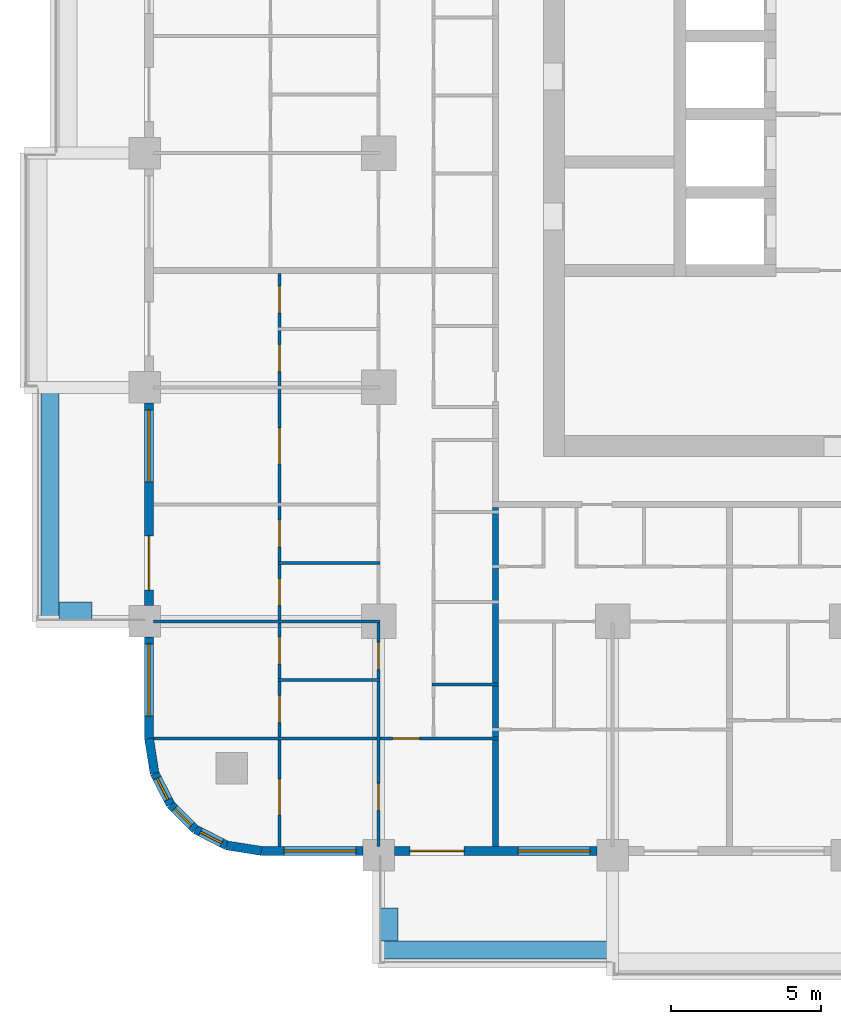
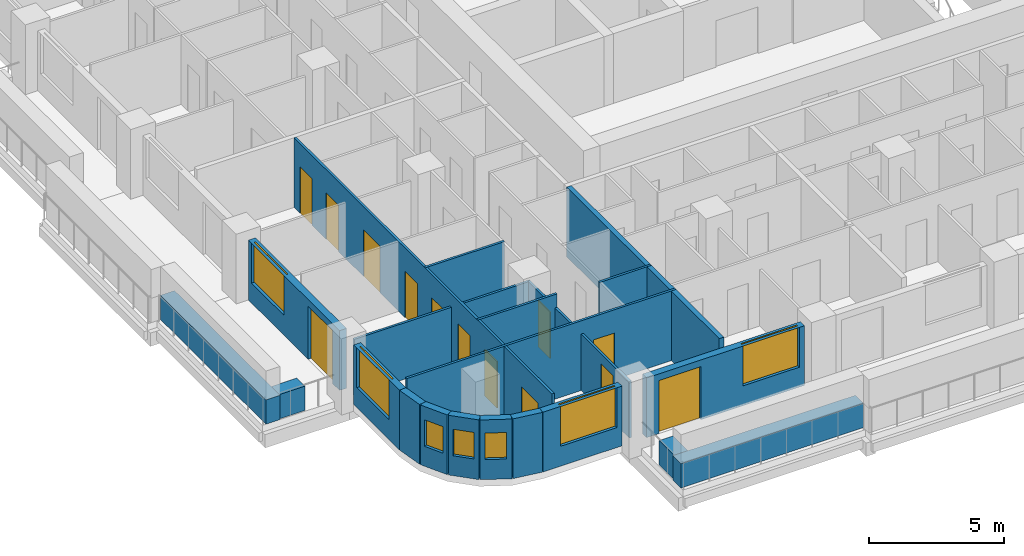
# One storey, part 2 of 17: 21 walls, 13 doors, 7 windows, 20 openings.
"""IFC4 building model written with IfcOpenShell, lengths in metres."""

from ifc_helpers import new_model, si_unit, direction, frame, frame_2d, origin, place, context, subcontext, project, spatial, rectangle, extrude, material, layer, layer_set, type_object, element, fill, save


model = new_model("IFC4")

# Units and contexts
model_context = context("Model", 3, precision=1e-05, world=origin(), true_north=direction((0.0, 1.0)))
body_context = subcontext(model_context, "Body", "Model", "MODEL_VIEW")
ifc_project = project(units=[si_unit("LENGTHUNIT", "METRE"), si_unit("AREAUNIT", "SQUARE_METRE"), si_unit("VOLUMEUNIT", "CUBIC_METRE"), si_unit("PLANEANGLEUNIT", "RADIAN"), si_unit("MASSUNIT", "GRAM", prefix="KILO")], contexts=[model_context])

# Site, building, storey
site_placement = place(None, origin())
site = spatial("IfcSite", under=ifc_project, at=site_placement, CompositionType="ELEMENT")
building_placement = place(site_placement, origin())
building = spatial("IfcBuilding", under=site, at=building_placement, Name="Ludao Terraces", CompositionType="ELEMENT")
storey_placement = place(building_placement, frame((0.0, 0.0, 51.199951171875)))
storey = spatial("IfcBuildingStorey", under=building, at=storey_placement, Name="L13", CompositionType="ELEMENT", Elevation=51.199951171875)

# Walls
ifc_material_1 = material(Name="Concrete C40", Category="concrete")
ifc_layer_1 = layer(ifc_material_1, 0.60009765625)
ifc_layer_set_1 = layer_set([ifc_layer_1], Name="ENV Planter trough 600")
wall_type_1 = type_object("IfcWallType", Name="ENV Planter trough 600", PredefinedType="USERDEFINED", material=ifc_layer_set_1)
wall_1_placement = place(storey_placement, frame((69.39990234375, 38.449951171875, 0.0), z_axis=(0.0, 0.0, 1.0), x_axis=(1.0, 0.0, 0.0)))
element("IfcWall", 1, at=wall_1_placement, inside=storey, type_object=wall_type_1, Name="PL-L13-S1", ObjectType="PLANTER", PredefinedType="USERDEFINED", context=body_context, shape_type="SweptSolid", body=[
    extrude(rectangle(XDim=7.800048828125, YDim=0.60009765625, at=frame_2d((3.89990234375, 0.0))), origin(), (0.0, 0.0, 1.0), 1.10009765625),
])
wall_2_placement = place(storey_placement, frame((69.75, 38.75, 0.0), z_axis=(0.0, 0.0, 1.0), x_axis=(0.0, 1.0, 0.0)))
element("IfcWall", 2, at=wall_2_placement, inside=storey, type_object=wall_type_1, Name="PL-L13-S1-SA", ObjectType="PLANTER", PredefinedType="USERDEFINED", context=body_context, shape_type="SweptSolid", body=[
    extrude(rectangle(XDim=1.10009765625, YDim=0.60009765625, at=frame_2d((0.550048828125, 0.0))), origin(), (0.0, 0.0, 1.0), 1.10009765625),
])
wall_3_placement = place(storey_placement, frame((58.449951171875, 49.39990234375, 0.0), z_axis=(0.0, 0.0, 1.0), x_axis=(0.0, 1.0, 0.0)))
element("IfcWall", 3, at=wall_3_placement, inside=storey, type_object=wall_type_1, Name="PL-L13-W1", ObjectType="PLANTER", PredefinedType="USERDEFINED", context=body_context, shape_type="SweptSolid", body=[
    extrude(rectangle(XDim=7.800048828125, YDim=0.60009765625, at=frame_2d((3.89990234375, 0.0))), origin(), (0.0, 0.0, 1.0), 1.10009765625),
])
wall_4_placement = place(storey_placement, frame((58.75, 49.75, 0.0), z_axis=(0.0, 0.0, 1.0), x_axis=(1.0, 0.0, 0.0)))
element("IfcWall", 4, at=wall_4_placement, inside=storey, type_object=wall_type_1, Name="PL-L13-W1-SA", ObjectType="PLANTER", PredefinedType="USERDEFINED", context=body_context, shape_type="SweptSolid", body=[
    extrude(rectangle(XDim=1.10009765625, YDim=0.60009765625, at=frame_2d((0.550048828125, 0.0))), origin(), (0.0, 0.0, 1.0), 1.10009765625),
])

# Wall, opening, window
ifc_material_2 = material(Name="Granite cladding", Category="masonry")
ifc_layer_2 = layer(ifc_material_2, 0.0400390625, Category="stone")
ifc_material_3 = material(Name="Mineral wool")
ifc_layer_3 = layer(ifc_material_3, 0.06005859375)
ifc_layer_4 = layer(ifc_material_1, 0.199951171875, Category="concrete")
ifc_layer_set_2 = layer_set([ifc_layer_2, ifc_layer_3, ifc_layer_4], Name="ENV Stone-clad wall 300")
wall_type_2 = type_object("IfcWallType", Name="ENV Stone-clad wall 300", PredefinedType="SOLIDWALL", material=ifc_layer_set_2)
wall_5_placement = place(storey_placement, frame((65.5, 41.75, 0.0), z_axis=(0.0, 0.0, 1.0), x_axis=(1.0, 0.0, 0.0)))
wall_5 = element("IfcWall", 5, at=wall_5_placement, inside=storey, type_object=wall_type_2, Name="EW-L13-S1", PredefinedType="SOLIDWALL", context=body_context, shape_type="SweptSolid", body=[
    extrude(rectangle(XDim=3.375, YDim=0.300048828125, at=frame_2d((1.6875, 0.0))), origin(), (0.0, 0.0, 1.0), 2.699951171875),
])
opening_1_placement = place(wall_5_placement, frame((0.75, 0.0, 0.89990234375)))
opening_1 = element("IfcOpeningElement", 6, at=opening_1_placement, cuts=wall_5, Name="Opening W1", PredefinedType="OPENING", context=body_context, shape_type="SweptSolid", body=[
    extrude(rectangle(XDim=2.39990234375, YDim=1.800048828125, at=frame_2d((1.199951171875, 0.89990234375))), frame((0.0, 0.16015625, 0.0), z_axis=(0.0, -1.0, 0.0), x_axis=(1.0, 0.0, 0.0)), (0.0, 0.0, 1.0), 0.320068359375),
])
ifc_material_4 = material(Name="Clear glass in aluminium frame", Category="aluminium")
ifc_layer_5 = layer(ifc_material_4, 0.06005859375)
ifc_layer_set_3 = layer_set([ifc_layer_5], Name="ENV Window W1 2400x1800")
window_type_1 = type_object("IfcWindowType", Name="ENV Window W1 2400x1800", PartitioningType="DOUBLE_PANEL_VERTICAL", PredefinedType="WINDOW", material=ifc_layer_set_3)
window_1_placement = place(opening_1_placement, origin())
window_1 = element("IfcWindow", 7, at=window_1_placement, inside=storey, type_object=window_type_1, Name="W-L13-S1-1", OverallHeight=1.800048828125, OverallWidth=2.39990234375, PartitioningType="DOUBLE_PANEL_VERTICAL", PredefinedType="WINDOW", context=body_context, shape_type="SweptSolid", body=[
    extrude(rectangle(XDim=2.39990234375, YDim=1.800048828125, at=frame_2d((1.199951171875, 0.89990234375))), frame((0.0, 0.030029296875, 0.0), z_axis=(0.0, -1.0, 0.0), x_axis=(1.0, 0.0, 0.0)), (0.0, 0.0, 1.0), 0.06005859375),
])
fill(opening_1, window_1)

# Wall, openings, door, window
wall_6_placement = place(storey_placement, frame((69.925048828125, 41.75, 0.0), z_axis=(0.0, 0.0, 1.0), x_axis=(1.0, 0.0, 0.0)))
wall_6 = element("IfcWall", 8, at=wall_6_placement, inside=storey, type_object=wall_type_2, Name="EW-L13-S2", PredefinedType="SOLIDWALL", context=body_context, shape_type="SweptSolid", body=[
    extrude(rectangle(XDim=6.75, YDim=0.300048828125, at=frame_2d((3.375, 0.0))), origin(), (0.0, 0.0, 1.0), 2.699951171875),
])
opening_2_placement = place(wall_6_placement, frame((0.52490234375, 0.0, 0.0)))
opening_2 = element("IfcOpeningElement", 9, at=opening_2_placement, cuts=wall_6, Name="Opening BD", PredefinedType="OPENING", context=body_context, shape_type="SweptSolid", body=[
    extrude(rectangle(XDim=1.800048828125, YDim=2.39990234375, at=frame_2d((0.89990234375, 1.199951171875))), frame((0.0, 0.16015625, 0.0), z_axis=(0.0, -1.0, 0.0), x_axis=(1.0, 0.0, 0.0)), (0.0, 0.0, 1.0), 0.320068359375),
])
opening_3_placement = place(wall_6_placement, frame((4.125, 0.0, 0.89990234375)))
opening_3 = element("IfcOpeningElement", 10, at=opening_3_placement, cuts=wall_6, Name="Opening W1", PredefinedType="OPENING", context=body_context, shape_type="SweptSolid", body=[
    extrude(rectangle(XDim=2.39990234375, YDim=1.800048828125, at=frame_2d((1.199951171875, 0.89990234375))), frame((0.0, 0.16015625, 0.0), z_axis=(0.0, -1.0, 0.0), x_axis=(1.0, 0.0, 0.0)), (0.0, 0.0, 1.0), 0.320068359375),
])
ifc_material_5 = material(Name="Aluminium glazed door", Category="aluminium")
ifc_layer_6 = layer(ifc_material_5, 0.06005859375)
ifc_layer_set_4 = layer_set([ifc_layer_6], Name="ENV Balcony door BD 1800x2400")
door_type_1 = type_object("IfcDoorType", Name="ENV Balcony door BD 1800x2400", OperationType="DOUBLE_DOOR_SINGLE_SWING", PredefinedType="DOOR", material=ifc_layer_set_4)
door_1_placement = place(opening_2_placement, origin())
door_1 = element("IfcDoor", 11, at=door_1_placement, inside=storey, type_object=door_type_1, Name="BD-L13-S2-1", OperationType="DOUBLE_DOOR_SINGLE_SWING", OverallHeight=2.39990234375, OverallWidth=1.800048828125, PredefinedType="DOOR", context=body_context, shape_type="SweptSolid", body=[
    extrude(rectangle(XDim=1.800048828125, YDim=2.39990234375, at=frame_2d((0.89990234375, 1.199951171875))), frame((0.0, 0.02490234375, 0.0), z_axis=(0.0, -1.0, 0.0), x_axis=(1.0, 0.0, 0.0)), (0.0, 0.0, 1.0), 0.050048828125),
])
fill(opening_2, door_1)
window_2_placement = place(opening_3_placement, origin())
window_2 = element("IfcWindow", 12, at=window_2_placement, inside=storey, type_object=window_type_1, Name="W-L13-S2-2", OverallHeight=1.800048828125, OverallWidth=2.39990234375, PartitioningType="DOUBLE_PANEL_VERTICAL", PredefinedType="WINDOW", context=body_context, shape_type="SweptSolid", body=[
    extrude(rectangle(XDim=2.39990234375, YDim=1.800048828125, at=frame_2d((1.199951171875, 0.89990234375))), frame((0.0, 0.030029296875, 0.0), z_axis=(0.0, -1.0, 0.0), x_axis=(1.0, 0.0, 0.0)), (0.0, 0.0, 1.0), 0.06005859375),
])
fill(opening_3, window_2)

# Wall, opening, window
wall_7_placement = place(storey_placement, frame((61.75, 45.5, 0.0), z_axis=(0.0, 0.0, 1.0), x_axis=(0.0, 1.0, 0.0)))
wall_7 = element("IfcWall", 13, at=wall_7_placement, inside=storey, type_object=wall_type_2, Name="EW-L13-W1", PredefinedType="SOLIDWALL", context=body_context, shape_type="SweptSolid", body=[
    extrude(rectangle(XDim=3.375, YDim=0.300048828125, at=frame_2d((1.6875, 0.0))), origin(), (0.0, 0.0, 1.0), 2.699951171875),
])
opening_4_placement = place(wall_7_placement, frame((0.75, 0.0, 0.89990234375)))
opening_4 = element("IfcOpeningElement", 14, at=opening_4_placement, cuts=wall_7, Name="Opening W1", PredefinedType="OPENING", context=body_context, shape_type="SweptSolid", body=[
    extrude(rectangle(XDim=2.39990234375, YDim=1.800048828125, at=frame_2d((1.199951171875, 0.89990234375))), frame((0.0, 0.16015625, 0.0), z_axis=(0.0, -1.0, 0.0), x_axis=(1.0, 0.0, 0.0)), (0.0, 0.0, 1.0), 0.320068359375),
])
window_3_placement = place(opening_4_placement, origin())
window_3 = element("IfcWindow", 15, at=window_3_placement, inside=storey, type_object=window_type_1, Name="W-L13-W1-1", OverallHeight=1.800048828125, OverallWidth=2.39990234375, PartitioningType="DOUBLE_PANEL_VERTICAL", PredefinedType="WINDOW", context=body_context, shape_type="SweptSolid", body=[
    extrude(rectangle(XDim=2.39990234375, YDim=1.800048828125, at=frame_2d((1.199951171875, 0.89990234375))), frame((0.0, 0.030029296875, 0.0), z_axis=(0.0, -1.0, 0.0), x_axis=(1.0, 0.0, 0.0)), (0.0, 0.0, 1.0), 0.06005859375),
])
fill(opening_4, window_3)

# Wall, openings, door, window
wall_8_placement = place(storey_placement, frame((61.75, 49.925048828125, 0.0), z_axis=(0.0, 0.0, 1.0), x_axis=(0.0, 1.0, 0.0)))
wall_8 = element("IfcWall", 16, at=wall_8_placement, inside=storey, type_object=wall_type_2, Name="EW-L13-W2", PredefinedType="SOLIDWALL", context=body_context, shape_type="SweptSolid", body=[
    extrude(rectangle(XDim=6.75, YDim=0.300048828125, at=frame_2d((3.375, 0.0))), origin(), (0.0, 0.0, 1.0), 2.699951171875),
])
opening_5_placement = place(wall_8_placement, frame((0.52490234375, 0.0, 0.0)))
opening_5 = element("IfcOpeningElement", 17, at=opening_5_placement, cuts=wall_8, Name="Opening BD", PredefinedType="OPENING", context=body_context, shape_type="SweptSolid", body=[
    extrude(rectangle(XDim=1.800048828125, YDim=2.39990234375, at=frame_2d((0.89990234375, 1.199951171875))), frame((0.0, 0.16015625, 0.0), z_axis=(0.0, -1.0, 0.0), x_axis=(1.0, 0.0, 0.0)), (0.0, 0.0, 1.0), 0.320068359375),
])
opening_6_placement = place(wall_8_placement, frame((4.125, 0.0, 0.89990234375)))
opening_6 = element("IfcOpeningElement", 18, at=opening_6_placement, cuts=wall_8, Name="Opening W1", PredefinedType="OPENING", context=body_context, shape_type="SweptSolid", body=[
    extrude(rectangle(XDim=2.39990234375, YDim=1.800048828125, at=frame_2d((1.199951171875, 0.89990234375))), frame((0.0, 0.16015625, 0.0), z_axis=(0.0, -1.0, 0.0), x_axis=(1.0, 0.0, 0.0)), (0.0, 0.0, 1.0), 0.320068359375),
])
door_2_placement = place(opening_5_placement, origin())
door_2 = element("IfcDoor", 19, at=door_2_placement, inside=storey, type_object=door_type_1, Name="BD-L13-W2-1", OperationType="DOUBLE_DOOR_SINGLE_SWING", OverallHeight=2.39990234375, OverallWidth=1.800048828125, PredefinedType="DOOR", context=body_context, shape_type="SweptSolid", body=[
    extrude(rectangle(XDim=1.800048828125, YDim=2.39990234375, at=frame_2d((0.89990234375, 1.199951171875))), frame((0.0, 0.02490234375, 0.0), z_axis=(0.0, -1.0, 0.0), x_axis=(1.0, 0.0, 0.0)), (0.0, 0.0, 1.0), 0.050048828125),
])
fill(opening_5, door_2)
window_4_placement = place(opening_6_placement, origin())
window_4 = element("IfcWindow", 20, at=window_4_placement, inside=storey, type_object=window_type_1, Name="W-L13-W2-2", OverallHeight=1.800048828125, OverallWidth=2.39990234375, PartitioningType="DOUBLE_PANEL_VERTICAL", PredefinedType="WINDOW", context=body_context, shape_type="SweptSolid", body=[
    extrude(rectangle(XDim=2.39990234375, YDim=1.800048828125, at=frame_2d((1.199951171875, 0.89990234375))), frame((0.0, 0.030029296875, 0.0), z_axis=(0.0, -1.0, 0.0), x_axis=(1.0, 0.0, 0.0)), (0.0, 0.0, 1.0), 0.06005859375),
])
fill(opening_6, window_4)

# Wall
wall_9_placement = place(storey_placement, frame((61.75, 45.5, 0.0), z_axis=(0.0, 0.0, 1.0), x_axis=(0.156496880861, -0.987678452879, 0.0)))
element("IfcWall", 21, at=wall_9_placement, inside=storey, type_object=wall_type_2, Name="EW-L13-SW1", PredefinedType="SOLIDWALL", context=body_context, shape_type="SweptSolid", body=[
    extrude(rectangle(XDim=1.173095703125, YDim=0.300048828125, at=frame_2d((0.58642578125, 0.0))), origin(), (0.0, 0.0, 1.0), 2.699951171875),
])

# Wall, opening, window
wall_10_placement = place(storey_placement, frame((61.93359375, 44.34130859375, 0.0), z_axis=(0.0, 0.0, 1.0), x_axis=(0.454025524128, -0.890988677504, 0.0)))
wall_10 = element("IfcWall", 22, at=wall_10_placement, inside=storey, type_object=wall_type_2, Name="EW-L13-SW2", PredefinedType="SOLIDWALL", context=body_context, shape_type="SweptSolid", body=[
    extrude(rectangle(XDim=1.17333984375, YDim=0.300048828125, at=frame_2d((0.586669921875, 0.0))), origin(), (0.0, 0.0, 1.0), 2.699951171875),
])
opening_7_placement = place(wall_10_placement, frame((0.1865234375, 0.0, 0.89990234375)))
opening_7 = element("IfcOpeningElement", 23, at=opening_7_placement, cuts=wall_10, Name="Opening W3", PredefinedType="OPENING", context=body_context, shape_type="SweptSolid", body=[
    extrude(rectangle(XDim=0.800048828125, YDim=1.199951171875, at=frame_2d((0.39990234375, 0.60009765625))), frame((0.0, 0.16015625, 0.0), z_axis=(0.0, -1.0, 0.0), x_axis=(1.0, 0.0, 0.0)), (0.0, 0.0, 1.0), 0.320068359375),
])
ifc_layer_7 = layer(ifc_material_4, 0.06005859375)
ifc_layer_set_5 = layer_set([ifc_layer_7], Name="ENV Window W3 800x1200")
window_type_2 = type_object("IfcWindowType", Name="ENV Window W3 800x1200", PartitioningType="SINGLE_PANEL", PredefinedType="WINDOW", material=ifc_layer_set_5)
window_5_placement = place(opening_7_placement, origin())
window_5 = element("IfcWindow", 24, at=window_5_placement, inside=storey, type_object=window_type_2, Name="W-L13-SW2", OverallHeight=1.199951171875, OverallWidth=0.800048828125, PartitioningType="SINGLE_PANEL", PredefinedType="WINDOW", context=body_context, shape_type="SweptSolid", body=[
    extrude(rectangle(XDim=0.800048828125, YDim=1.199951171875, at=frame_2d((0.39990234375, 0.60009765625))), frame((0.0, 0.030029296875, 0.0), z_axis=(0.0, -1.0, 0.0), x_axis=(1.0, 0.0, 0.0)), (0.0, 0.0, 1.0), 0.06005859375),
])
fill(opening_7, window_5)

wall_11_placement = place(storey_placement, frame((62.46630859375, 43.2958984375, 0.0), z_axis=(0.0, 0.0, 1.0), x_axis=(0.707106781187, -0.707106781187, 0.0)))
wall_11 = element("IfcWall", 25, at=wall_11_placement, inside=storey, type_object=wall_type_2, Name="EW-L13-SW3", PredefinedType="SOLIDWALL", context=body_context, shape_type="SweptSolid", body=[
    extrude(rectangle(XDim=1.173095703125, YDim=0.300048828125, at=frame_2d((0.58642578125, 0.0))), origin(), (0.0, 0.0, 1.0), 2.699951171875),
])
opening_8_placement = place(wall_11_placement, frame((0.1865234375, 0.0, 0.89990234375)))
opening_8 = element("IfcOpeningElement", 26, at=opening_8_placement, cuts=wall_11, Name="Opening W3", PredefinedType="OPENING", context=body_context, shape_type="SweptSolid", body=[
    extrude(rectangle(XDim=0.800048828125, YDim=1.199951171875, at=frame_2d((0.39990234375, 0.60009765625))), frame((0.0, 0.16015625, 0.0), z_axis=(0.0, -1.0, 0.0), x_axis=(1.0, 0.0, 0.0)), (0.0, 0.0, 1.0), 0.320068359375),
])
window_6_placement = place(opening_8_placement, origin())
window_6 = element("IfcWindow", 27, at=window_6_placement, inside=storey, type_object=window_type_2, Name="W-L13-SW3", OverallHeight=1.199951171875, OverallWidth=0.800048828125, PartitioningType="SINGLE_PANEL", PredefinedType="WINDOW", context=body_context, shape_type="SweptSolid", body=[
    extrude(rectangle(XDim=0.800048828125, YDim=1.199951171875, at=frame_2d((0.39990234375, 0.60009765625))), frame((0.0, 0.030029296875, 0.0), z_axis=(0.0, -1.0, 0.0), x_axis=(1.0, 0.0, 0.0)), (0.0, 0.0, 1.0), 0.06005859375),
])
fill(opening_8, window_6)

wall_12_placement = place(storey_placement, frame((63.2958984375, 42.46630859375, 0.0), z_axis=(0.0, 0.0, 1.0), x_axis=(0.890988677504, -0.454025524128, 0.0)))
wall_12 = element("IfcWall", 28, at=wall_12_placement, inside=storey, type_object=wall_type_2, Name="EW-L13-SW4", PredefinedType="SOLIDWALL", context=body_context, shape_type="SweptSolid", body=[
    extrude(rectangle(XDim=1.17333984375, YDim=0.300048828125, at=frame_2d((0.586669921875, 0.0))), origin(), (0.0, 0.0, 1.0), 2.699951171875),
])
opening_9_placement = place(wall_12_placement, frame((0.1865234375, 0.0, 0.89990234375)))
opening_9 = element("IfcOpeningElement", 29, at=opening_9_placement, cuts=wall_12, Name="Opening W3", PredefinedType="OPENING", context=body_context, shape_type="SweptSolid", body=[
    extrude(rectangle(XDim=0.800048828125, YDim=1.199951171875, at=frame_2d((0.39990234375, 0.60009765625))), frame((0.0, 0.16015625, 0.0), z_axis=(0.0, -1.0, 0.0), x_axis=(1.0, 0.0, 0.0)), (0.0, 0.0, 1.0), 0.320068359375),
])
window_7_placement = place(opening_9_placement, origin())
window_7 = element("IfcWindow", 30, at=window_7_placement, inside=storey, type_object=window_type_2, Name="W-L13-SW4", OverallHeight=1.199951171875, OverallWidth=0.800048828125, PartitioningType="SINGLE_PANEL", PredefinedType="WINDOW", context=body_context, shape_type="SweptSolid", body=[
    extrude(rectangle(XDim=0.800048828125, YDim=1.199951171875, at=frame_2d((0.39990234375, 0.60009765625))), frame((0.0, 0.030029296875, 0.0), z_axis=(0.0, -1.0, 0.0), x_axis=(1.0, 0.0, 0.0)), (0.0, 0.0, 1.0), 0.06005859375),
])
fill(opening_9, window_7)

# Wall
wall_13_placement = place(storey_placement, frame((64.34130859375, 41.93359375, 0.0), z_axis=(0.0, 0.0, 1.0), x_axis=(0.987678452879, -0.156496880861, 0.0)))
element("IfcWall", 31, at=wall_13_placement, inside=storey, type_object=wall_type_2, Name="EW-L13-SW5", PredefinedType="SOLIDWALL", context=body_context, shape_type="SweptSolid", body=[
    extrude(rectangle(XDim=1.173095703125, YDim=0.300048828125, at=frame_2d((0.58642578125, 0.0))), origin(), (0.0, 0.0, 1.0), 2.699951171875),
])

# Wall, opening, door
ifc_material_6 = material(Name="Gypsum plasterboard", Category="gypsum")
ifc_layer_8 = layer(ifc_material_6, 0.012451171875, Category="gypsum")
ifc_layer_9 = layer(ifc_material_3, 0.06005859375, Name="insulation")
ifc_material_7 = material(Name="Steel Q235", Category="steel")
ifc_layer_10 = layer(ifc_material_7, 0.014892578125, Name="stud")
ifc_layer_11 = layer(ifc_material_6, 0.012451171875, Category="gypsum")
ifc_layer_set_6 = layer_set([ifc_layer_8, ifc_layer_9, ifc_layer_10, ifc_layer_11], Name="INT Partition 100")
wall_type_3 = type_object("IfcWallType", Name="INT Partition 100", PredefinedType="PARTITIONING", material=ifc_layer_set_6)
wall_14_placement = place(storey_placement, frame((61.900146484375, 45.5, 0.0), z_axis=(0.0, 0.0, 1.0), x_axis=(1.0, 0.0, 0.0)))
wall_14 = element("IfcWall", 32, at=wall_14_placement, inside=storey, type_object=wall_type_3, Name="PW-L13-PW000", PredefinedType="PARTITIONING", context=body_context, shape_type="SweptSolid", body=[
    extrude(rectangle(XDim=11.5, YDim=0.10009765625, at=frame_2d((5.75, 0.0))), origin(), (0.0, 0.0, 1.0), 3.150146484375),
])
opening_10_placement = place(wall_14_placement, frame((7.965087890625, 0.0, 0.0)))
opening_10 = element("IfcOpeningElement", 33, at=opening_10_placement, cuts=wall_14, Name="Opening R04-005", PredefinedType="OPENING", context=body_context, shape_type="SweptSolid", body=[
    extrude(rectangle(XDim=0.89990234375, YDim=2.10009765625, at=frame_2d((0.449951171875, 1.050048828125))), frame((0.0, 0.06005859375, 0.0), z_axis=(0.0, -1.0, 0.0), x_axis=(1.0, 0.0, 0.0)), (0.0, 0.0, 1.0), 0.1201171875),
])
ifc_material_8 = material(Name="Timber door leaf", Category="wood")
door_type_2 = type_object("IfcDoorType", Name="INT Room door 900", OperationType="SINGLE_SWING_LEFT", PredefinedType="DOOR", material=ifc_material_8)
door_3_placement = place(opening_10_placement, origin())
door_3 = element("IfcDoor", 34, at=door_3_placement, inside=storey, type_object=door_type_2, Name="DOOR 005", OperationType="SINGLE_SWING_RIGHT", OverallHeight=2.10009765625, OverallWidth=0.89990234375, PredefinedType="DOOR", context=body_context, shape_type="SweptSolid", body=[
    extrude(rectangle(XDim=0.89990234375, YDim=2.10009765625, at=frame_2d((0.449951171875, 1.050048828125))), frame((0.0, 0.02490234375, 0.0), z_axis=(0.0, -1.0, 0.0), x_axis=(1.0, 0.0, 0.0)), (0.0, 0.0, 1.0), 0.050048828125),
])
fill(opening_10, door_3)

# Walls
wall_15_placement = place(storey_placement, frame((71.18017578125, 47.300048828125, 0.0), z_axis=(0.0, 0.0, 1.0), x_axis=(1.0, 0.0, 0.0)))
element("IfcWall", 35, at=wall_15_placement, inside=storey, type_object=wall_type_3, Name="PW-L13-PW004", PredefinedType="PARTITIONING", context=body_context, shape_type="SweptSolid", body=[
    extrude(rectangle(XDim=2.219970703125, YDim=0.10009765625, at=frame_2d((1.10986328125, 0.0))), origin(), (0.0, 0.0, 1.0), 3.150146484375),
])
wall_16_placement = place(storey_placement, frame((66.050048828125, 47.449951171875, 0.0), z_axis=(0.0, 0.0, 1.0), x_axis=(1.0, 0.0, 0.0)))
element("IfcWall", 36, at=wall_16_placement, inside=storey, type_object=wall_type_3, Name="PW-L13-PW006", PredefinedType="PARTITIONING", context=body_context, shape_type="SweptSolid", body=[
    extrude(rectangle(XDim=3.400146484375, YDim=0.10009765625, at=frame_2d((1.7001953125, 0.0))), origin(), (0.0, 0.0, 1.0), 3.150146484375),
])
wall_17_placement = place(storey_placement, frame((61.900146484375, 49.39990234375, 0.0), z_axis=(0.0, 0.0, 1.0), x_axis=(1.0, 0.0, 0.0)))
element("IfcWall", 37, at=wall_17_placement, inside=storey, type_object=wall_type_3, Name="PW-L13-PW008", PredefinedType="PARTITIONING", context=body_context, shape_type="SweptSolid", body=[
    extrude(rectangle(XDim=7.550048828125, YDim=0.10009765625, at=frame_2d((3.77490234375, 0.0))), origin(), (0.0, 0.0, 1.0), 2.550048828125),
])
wall_18_placement = place(storey_placement, frame((66.050048828125, 51.35009765625, 0.0), z_axis=(0.0, 0.0, 1.0), x_axis=(1.0, 0.0, 0.0)))
element("IfcWall", 38, at=wall_18_placement, inside=storey, type_object=wall_type_3, Name="PW-L13-PW016", PredefinedType="PARTITIONING", context=body_context, shape_type="SweptSolid", body=[
    extrude(rectangle(XDim=3.400146484375, YDim=0.10009765625, at=frame_2d((1.7001953125, 0.0))), origin(), (0.0, 0.0, 1.0), 3.150146484375),
])

# Wall, openings, doors
wall_19_placement = place(storey_placement, frame((66.10009765625, 41.900146484375, 0.0), z_axis=(0.0, 0.0, 1.0), x_axis=(0.0, 1.0, 0.0)))
wall_19 = element("IfcWall", 39, at=wall_19_placement, inside=storey, type_object=wall_type_3, Name="PW-L13-PW082", PredefinedType="PARTITIONING", context=body_context, shape_type="SweptSolid", body=[
    extrude(rectangle(XDim=19.099853515625, YDim=0.10009765625, at=frame_2d((9.5498046875, 0.0))), origin(), (0.0, 0.0, 1.0), 3.150146484375),
])
opening_11_placement = place(wall_19_placement, frame((1.050048828125, 0.0, 0.0)))
opening_11 = element("IfcOpeningElement", 40, at=opening_11_placement, cuts=wall_19, Name="Opening R04-001", PredefinedType="OPENING", context=body_context, shape_type="SweptSolid", body=[
    extrude(rectangle(XDim=1.199951171875, YDim=2.10009765625, at=frame_2d((0.60009765625, 1.050048828125))), frame((0.0, 0.06005859375, 0.0), z_axis=(0.0, -1.0, 0.0), x_axis=(1.0, 0.0, 0.0)), (0.0, 0.0, 1.0), 0.1201171875),
])
opening_12_placement = place(wall_19_placement, frame((4.125, 0.0, 0.0)))
opening_12 = element("IfcOpeningElement", 41, at=opening_12_placement, cuts=wall_19, Name="Opening R04-018", PredefinedType="OPENING", context=body_context, shape_type="SweptSolid", body=[
    extrude(rectangle(XDim=0.89990234375, YDim=2.10009765625, at=frame_2d((0.449951171875, 1.050048828125))), frame((0.0, 0.06005859375, 0.0), z_axis=(0.0, -1.0, 0.0), x_axis=(1.0, 0.0, 0.0)), (0.0, 0.0, 1.0), 0.1201171875),
])
opening_13_placement = place(wall_19_placement, frame((6.074951171875, 0.0, 0.0)))
opening_13 = element("IfcOpeningElement", 42, at=opening_13_placement, cuts=wall_19, Name="Opening R04-022", PredefinedType="OPENING", context=body_context, shape_type="SweptSolid", body=[
    extrude(rectangle(XDim=0.89990234375, YDim=2.10009765625, at=frame_2d((0.449951171875, 1.050048828125))), frame((0.0, 0.06005859375, 0.0), z_axis=(0.0, -1.0, 0.0), x_axis=(1.0, 0.0, 0.0)), (0.0, 0.0, 1.0), 0.1201171875),
])
opening_14_placement = place(wall_19_placement, frame((8.02490234375, 0.0, 0.0)))
opening_14 = element("IfcOpeningElement", 43, at=opening_14_placement, cuts=wall_19, Name="Opening R04-032", PredefinedType="OPENING", context=body_context, shape_type="SweptSolid", body=[
    extrude(rectangle(XDim=0.89990234375, YDim=2.10009765625, at=frame_2d((0.449951171875, 1.050048828125))), frame((0.0, 0.06005859375, 0.0), z_axis=(0.0, -1.0, 0.0), x_axis=(1.0, 0.0, 0.0)), (0.0, 0.0, 1.0), 0.1201171875),
])
opening_15_placement = place(wall_19_placement, frame((9.97509765625, 0.0, 0.0)))
opening_15 = element("IfcOpeningElement", 44, at=opening_15_placement, cuts=wall_19, Name="Opening R04-045", PredefinedType="OPENING", context=body_context, shape_type="SweptSolid", body=[
    extrude(rectangle(XDim=0.89990234375, YDim=2.10009765625, at=frame_2d((0.449951171875, 1.050048828125))), frame((0.0, 0.06005859375, 0.0), z_axis=(0.0, -1.0, 0.0), x_axis=(1.0, 0.0, 0.0)), (0.0, 0.0, 1.0), 0.1201171875),
])
opening_16_placement = place(wall_19_placement, frame((12.75, 0.0, 0.0)))
opening_16 = element("IfcOpeningElement", 45, at=opening_16_placement, cuts=wall_19, Name="Opening R04-053", PredefinedType="OPENING", context=body_context, shape_type="SweptSolid", body=[
    extrude(rectangle(XDim=1.199951171875, YDim=2.10009765625, at=frame_2d((0.60009765625, 1.050048828125))), frame((0.0, 0.06005859375, 0.0), z_axis=(0.0, -1.0, 0.0), x_axis=(1.0, 0.0, 0.0)), (0.0, 0.0, 1.0), 0.1201171875),
])
opening_17_placement = place(wall_19_placement, frame((15.824951171875, 0.0, 0.0)))
opening_17 = element("IfcOpeningElement", 46, at=opening_17_placement, cuts=wall_19, Name="Opening R04-064", PredefinedType="OPENING", context=body_context, shape_type="SweptSolid", body=[
    extrude(rectangle(XDim=0.89990234375, YDim=2.10009765625, at=frame_2d((0.449951171875, 1.050048828125))), frame((0.0, 0.06005859375, 0.0), z_axis=(0.0, -1.0, 0.0), x_axis=(1.0, 0.0, 0.0)), (0.0, 0.0, 1.0), 0.1201171875),
])
opening_18_placement = place(wall_19_placement, frame((17.77490234375, 0.0, 0.0)))
opening_18 = element("IfcOpeningElement", 47, at=opening_18_placement, cuts=wall_19, Name="Opening R04-067", PredefinedType="OPENING", context=body_context, shape_type="SweptSolid", body=[
    extrude(rectangle(XDim=0.89990234375, YDim=2.10009765625, at=frame_2d((0.449951171875, 1.050048828125))), frame((0.0, 0.06005859375, 0.0), z_axis=(0.0, -1.0, 0.0), x_axis=(1.0, 0.0, 0.0)), (0.0, 0.0, 1.0), 0.1201171875),
])
door_type_3 = type_object("IfcDoorType", Name="INT Bathroom door 900", OperationType="SINGLE_SWING_LEFT", PredefinedType="DOOR", material=ifc_material_8)
door_4_placement = place(opening_12_placement, origin())
door_4 = element("IfcDoor", 48, at=door_4_placement, inside=storey, type_object=door_type_3, Name="DOOR 018", OperationType="SINGLE_SWING_RIGHT", OverallHeight=2.10009765625, OverallWidth=0.89990234375, PredefinedType="DOOR", context=body_context, shape_type="SweptSolid", body=[
    extrude(rectangle(XDim=0.89990234375, YDim=2.10009765625, at=frame_2d((0.449951171875, 1.050048828125))), frame((0.0, 0.02490234375, 0.0), z_axis=(0.0, -1.0, 0.0), x_axis=(1.0, 0.0, 0.0)), (0.0, 0.0, 1.0), 0.050048828125),
])
fill(opening_12, door_4)
door_5_placement = place(opening_14_placement, origin())
door_5 = element("IfcDoor", 49, at=door_5_placement, inside=storey, type_object=door_type_3, Name="DOOR 032", OperationType="SINGLE_SWING_RIGHT", OverallHeight=2.10009765625, OverallWidth=0.89990234375, PredefinedType="DOOR", context=body_context, shape_type="SweptSolid", body=[
    extrude(rectangle(XDim=0.89990234375, YDim=2.10009765625, at=frame_2d((0.449951171875, 1.050048828125))), frame((0.0, 0.02490234375, 0.0), z_axis=(0.0, -1.0, 0.0), x_axis=(1.0, 0.0, 0.0)), (0.0, 0.0, 1.0), 0.050048828125),
])
fill(opening_14, door_5)
door_6_placement = place(opening_17_placement, origin())
door_6 = element("IfcDoor", 50, at=door_6_placement, inside=storey, type_object=door_type_3, Name="DOOR 064", OperationType="SINGLE_SWING_LEFT", OverallHeight=2.10009765625, OverallWidth=0.89990234375, PredefinedType="DOOR", context=body_context, shape_type="SweptSolid", body=[
    extrude(rectangle(XDim=0.89990234375, YDim=2.10009765625, at=frame_2d((0.449951171875, 1.050048828125))), frame((0.0, 0.02490234375, 0.0), z_axis=(0.0, -1.0, 0.0), x_axis=(1.0, 0.0, 0.0)), (0.0, 0.0, 1.0), 0.050048828125),
])
fill(opening_17, door_6)
door_type_4 = type_object("IfcDoorType", Name="INT Double door 1200", OperationType="DOUBLE_DOOR_SINGLE_SWING", PredefinedType="DOOR", material=ifc_material_8)
door_7_placement = place(opening_11_placement, origin())
door_7 = element("IfcDoor", 51, at=door_7_placement, inside=storey, type_object=door_type_4, Name="DOOR 001", OperationType="DOUBLE_DOOR_SINGLE_SWING", OverallHeight=2.10009765625, OverallWidth=1.199951171875, PredefinedType="DOOR", context=body_context, shape_type="SweptSolid", body=[
    extrude(rectangle(XDim=1.199951171875, YDim=2.10009765625, at=frame_2d((0.60009765625, 1.050048828125))), frame((0.0, 0.02490234375, 0.0), z_axis=(0.0, -1.0, 0.0), x_axis=(1.0, 0.0, 0.0)), (0.0, 0.0, 1.0), 0.050048828125),
])
fill(opening_11, door_7)
door_8_placement = place(opening_16_placement, origin())
door_8 = element("IfcDoor", 52, at=door_8_placement, inside=storey, type_object=door_type_4, Name="DOOR 053", OperationType="DOUBLE_DOOR_SINGLE_SWING", OverallHeight=2.10009765625, OverallWidth=1.199951171875, PredefinedType="DOOR", context=body_context, shape_type="SweptSolid", body=[
    extrude(rectangle(XDim=1.199951171875, YDim=2.10009765625, at=frame_2d((0.60009765625, 1.050048828125))), frame((0.0, 0.02490234375, 0.0), z_axis=(0.0, -1.0, 0.0), x_axis=(1.0, 0.0, 0.0)), (0.0, 0.0, 1.0), 0.050048828125),
])
fill(opening_16, door_8)
door_9_placement = place(opening_13_placement, origin())
door_9 = element("IfcDoor", 53, at=door_9_placement, inside=storey, type_object=door_type_2, Name="DOOR 022", OperationType="SINGLE_SWING_LEFT", OverallHeight=2.10009765625, OverallWidth=0.89990234375, PredefinedType="DOOR", context=body_context, shape_type="SweptSolid", body=[
    extrude(rectangle(XDim=0.89990234375, YDim=2.10009765625, at=frame_2d((0.449951171875, 1.050048828125))), frame((0.0, 0.02490234375, 0.0), z_axis=(0.0, -1.0, 0.0), x_axis=(1.0, 0.0, 0.0)), (0.0, 0.0, 1.0), 0.050048828125),
])
fill(opening_13, door_9)
door_10_placement = place(opening_15_placement, origin())
door_10 = element("IfcDoor", 54, at=door_10_placement, inside=storey, type_object=door_type_2, Name="DOOR 045", OperationType="SINGLE_SWING_RIGHT", OverallHeight=2.10009765625, OverallWidth=0.89990234375, PredefinedType="DOOR", context=body_context, shape_type="SweptSolid", body=[
    extrude(rectangle(XDim=0.89990234375, YDim=2.10009765625, at=frame_2d((0.449951171875, 1.050048828125))), frame((0.0, 0.02490234375, 0.0), z_axis=(0.0, -1.0, 0.0), x_axis=(1.0, 0.0, 0.0)), (0.0, 0.0, 1.0), 0.050048828125),
])
fill(opening_15, door_10)
door_11_placement = place(opening_18_placement, origin())
door_11 = element("IfcDoor", 55, at=door_11_placement, inside=storey, type_object=door_type_2, Name="DOOR 067", OperationType="SINGLE_SWING_LEFT", OverallHeight=2.10009765625, OverallWidth=0.89990234375, PredefinedType="DOOR", context=body_context, shape_type="SweptSolid", body=[
    extrude(rectangle(XDim=0.89990234375, YDim=2.10009765625, at=frame_2d((0.449951171875, 1.050048828125))), frame((0.0, 0.02490234375, 0.0), z_axis=(0.0, -1.0, 0.0), x_axis=(1.0, 0.0, 0.0)), (0.0, 0.0, 1.0), 0.050048828125),
])
fill(opening_18, door_11)

wall_20_placement = place(storey_placement, frame((69.39990234375, 41.900146484375, 0.0), z_axis=(0.0, 0.0, 1.0), x_axis=(0.0, 1.0, 0.0)))
wall_20 = element("IfcWall", 56, at=wall_20_placement, inside=storey, type_object=wall_type_3, Name="PW-L13-PW083", PredefinedType="PARTITIONING", context=body_context, shape_type="SweptSolid", body=[
    extrude(rectangle(XDim=7.499755859375, YDim=0.10009765625, at=frame_2d((3.75, 0.0))), origin(), (0.0, 0.0, 1.0), 2.550048828125),
])
opening_19_placement = place(wall_20_placement, frame((1.199951171875, 0.0, 0.0)))
opening_19 = element("IfcOpeningElement", 57, at=opening_19_placement, cuts=wall_20, Name="Opening R04-002", PredefinedType="OPENING", context=body_context, shape_type="SweptSolid", body=[
    extrude(rectangle(XDim=0.89990234375, YDim=2.10009765625, at=frame_2d((0.449951171875, 1.050048828125))), frame((0.0, 0.06005859375, 0.0), z_axis=(0.0, -1.0, 0.0), x_axis=(1.0, 0.0, 0.0)), (0.0, 0.0, 1.0), 0.1201171875),
])
opening_20_placement = place(wall_20_placement, frame((5.89990234375, 0.0, 0.0)))
opening_20 = element("IfcOpeningElement", 58, at=opening_20_placement, cuts=wall_20, Name="Opening R04-020", PredefinedType="OPENING", context=body_context, shape_type="SweptSolid", body=[
    extrude(rectangle(XDim=0.89990234375, YDim=2.10009765625, at=frame_2d((0.449951171875, 1.050048828125))), frame((0.0, 0.06005859375, 0.0), z_axis=(0.0, -1.0, 0.0), x_axis=(1.0, 0.0, 0.0)), (0.0, 0.0, 1.0), 0.1201171875),
])
door_12_placement = place(opening_19_placement, origin())
door_12 = element("IfcDoor", 59, at=door_12_placement, inside=storey, type_object=door_type_2, Name="DOOR 002", OperationType="SINGLE_SWING_LEFT", OverallHeight=2.10009765625, OverallWidth=0.89990234375, PredefinedType="DOOR", context=body_context, shape_type="SweptSolid", body=[
    extrude(rectangle(XDim=0.89990234375, YDim=2.10009765625, at=frame_2d((0.449951171875, 1.050048828125))), frame((0.0, 0.02490234375, 0.0), z_axis=(0.0, -1.0, 0.0), x_axis=(1.0, 0.0, 0.0)), (0.0, 0.0, 1.0), 0.050048828125),
])
fill(opening_19, door_12)
door_13_placement = place(opening_20_placement, origin())
door_13 = element("IfcDoor", 60, at=door_13_placement, inside=storey, type_object=door_type_2, Name="DOOR 020", OperationType="SINGLE_SWING_LEFT", OverallHeight=2.10009765625, OverallWidth=0.89990234375, PredefinedType="DOOR", context=body_context, shape_type="SweptSolid", body=[
    extrude(rectangle(XDim=0.89990234375, YDim=2.10009765625, at=frame_2d((0.449951171875, 1.050048828125))), frame((0.0, 0.02490234375, 0.0), z_axis=(0.0, -1.0, 0.0), x_axis=(1.0, 0.0, 0.0)), (0.0, 0.0, 1.0), 0.050048828125),
])
fill(opening_20, door_13)

# Wall
ifc_material_9 = material(Name="Autoclaved aerated concrete block B06 A3.5", Category="concrete")
ifc_layer_12 = layer(ifc_material_9, 0.199951171875)
ifc_layer_set_7 = layer_set([ifc_layer_12], Name="INT Party wall 200")
wall_type_4 = type_object("IfcWallType", Name="INT Party wall 200", PredefinedType="PARTITIONING", material=ifc_layer_set_7)
wall_21_placement = place(storey_placement, frame((73.300048828125, 41.900146484375, 0.0), z_axis=(0.0, 0.0, 1.0), x_axis=(0.0, 1.0, 0.0)))
element("IfcWall", 61, at=wall_21_placement, inside=storey, type_object=wall_type_4, Name="PW-L13-PW088", PredefinedType="PARTITIONING", context=body_context, shape_type="SweptSolid", body=[
    extrude(rectangle(XDim=11.300048828125, YDim=0.199951171875, at=frame_2d((5.64990234375, 0.0))), origin(), (0.0, 0.0, 1.0), 3.150146484375),
])

save(model, "model.ifc")
